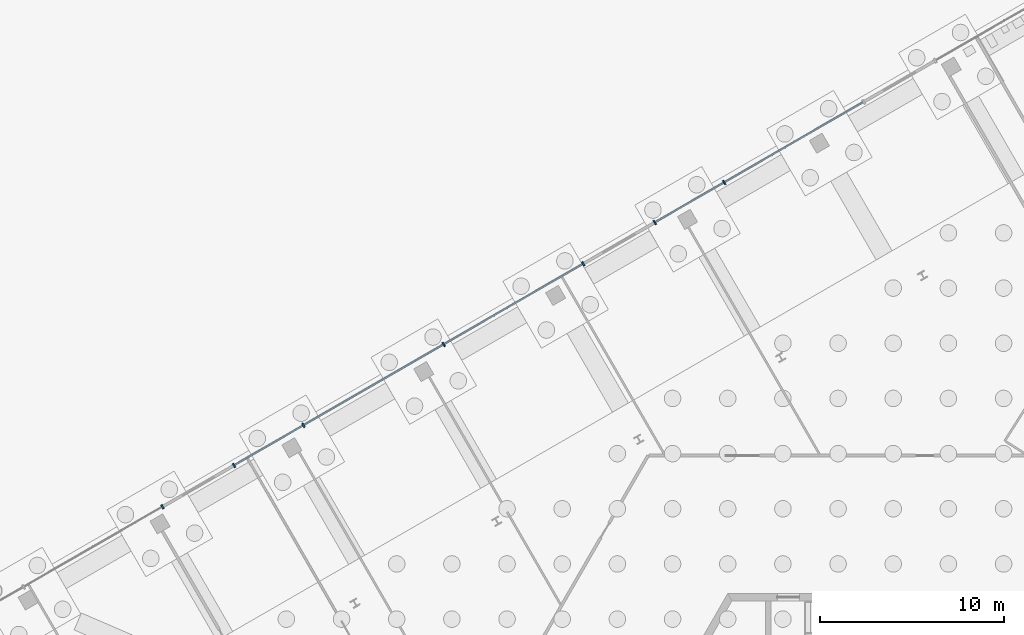
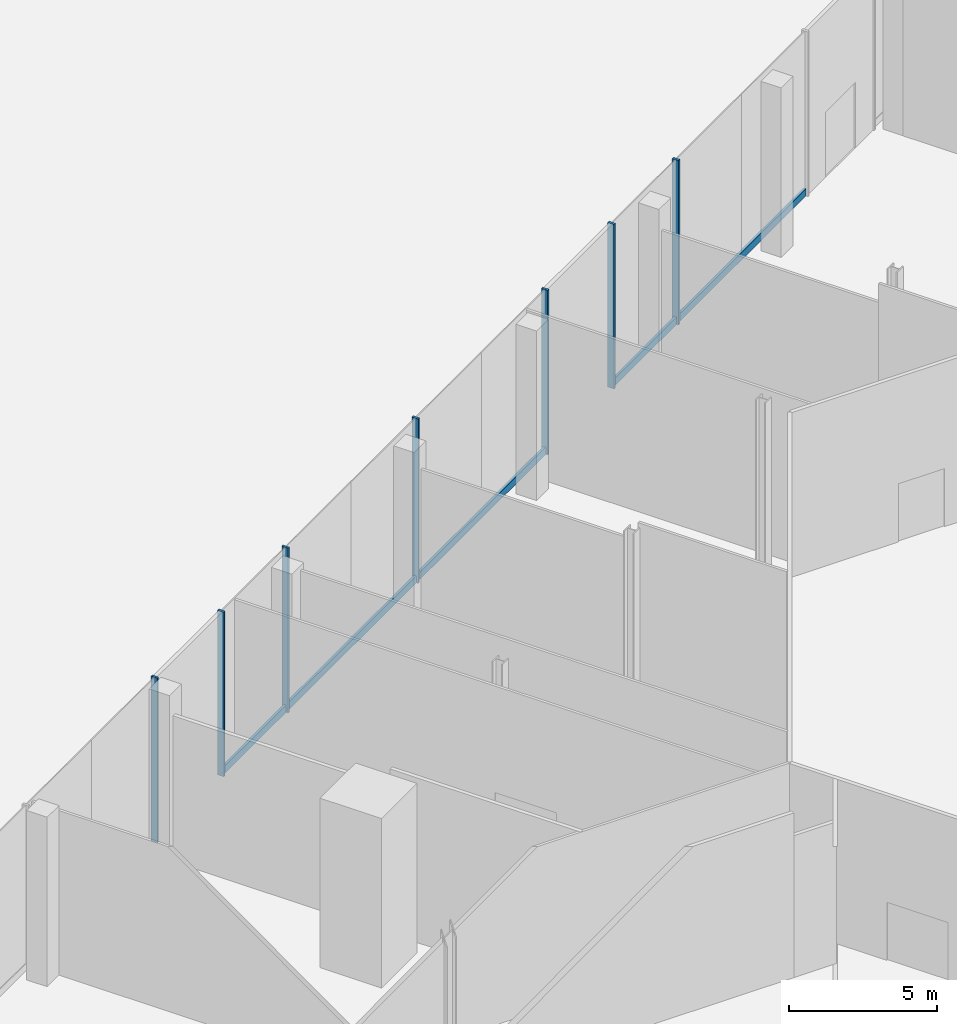
# One storey, part 12 of 27: 12 members, 3 elements without a shape of their own.
"""IFC4 building model written with IfcOpenShell, lengths in metres."""

from ifc_helpers import new_model, si_unit, direction, frame, origin, origin_2d, place, context, subcontext, project, spatial, rectangle, extrude, source, transform, mapped, material, material_profile, profile_set, type_object, element, aggregate, save


model = new_model("IFC4")

# Units and contexts
model_context = context("Model", 3, precision=1e-05, world=origin(), true_north=direction((0.0, 1.0)))
body_context = subcontext(model_context, "Body", "Model", "MODEL_VIEW")
ifc_project = project(units=[si_unit("LENGTHUNIT", "METRE"), si_unit("AREAUNIT", "SQUARE_METRE"), si_unit("VOLUMEUNIT", "CUBIC_METRE"), si_unit("PLANEANGLEUNIT", "RADIAN"), si_unit("MASSUNIT", "GRAM", prefix="KILO")], contexts=[model_context])

# Site, building, storey
site_placement = place(None, origin())
site = spatial("IfcSite", under=ifc_project, at=site_placement, CompositionType="ELEMENT")
building_placement = place(site_placement, origin())
building = spatial("IfcBuilding", under=site, at=building_placement, Name="Triune Harvest Tower", CompositionType="ELEMENT")
storey_placement = place(building_placement, origin())
storey = spatial("IfcBuildingStorey", under=building, at=storey_placement, Name="L00", CompositionType="ELEMENT", Elevation=0.0)

# Curtain wall, member
ifc_material_1 = material(Name="Aluminium bronze anodised", Category="aluminium")
curtain_wall_type = type_object("IfcCurtainWallType", Name="CW-2 Podium shopfront wall", PredefinedType="NOTDEFINED", material=ifc_material_1)
curtain_wall_1_placement = place(storey_placement, origin())
curtain_wall_1 = element("IfcCurtainWall", 1, at=curtain_wall_1_placement, inside=storey, type_object=curtain_wall_type, Name="CW-2 PD-F3 L00 run 3")
ifc_material_2 = material(Name="Aluminium bronze anodised", Category="aluminium")
ifc_material_profile_1 = material_profile(ifc_material_2, rectangle(XDim=0.10009765625, YDim=0.300048828125, at=origin_2d()), Name="TR-2 transom 100 x 300")
ifc_profile_set_1 = profile_set([ifc_material_profile_1], Name="Aluminium bronze anodised")
member_type_1 = type_object("IfcMemberType", Name="TR-2 transom 100 x 300", PredefinedType="USERDEFINED", material=ifc_profile_set_1)
member_1_placement = place(storey_placement, frame((-29.111572265625, 19.5126953125, 0.14990234375), z_axis=(-0.866023629481, -0.500003073171, 0.0), x_axis=(0.500003073171, -0.866023629481, 0.0)))
member_1 = element("IfcMember", 2, at=member_1_placement, type_object=member_type_1, Name="CW-2 transom PD-F3 3.3", ObjectType="TRANSOM", PredefinedType="USERDEFINED", context=body_context, shape_type="SweptSolid", body=[
    extrude(rectangle(XDim=0.10009765625, YDim=0.300048828125, at=origin_2d()), origin(), (0.0, 0.0, 1.0), 4.267578125),
])

# Curtain wall, members
curtain_wall_2_placement = place(storey_placement, origin())
curtain_wall_2 = element("IfcCurtainWall", 3, at=curtain_wall_2_placement, inside=storey, type_object=curtain_wall_type, Name="CW-2 PD-F3 L00 run 2")
ifc_material_3 = material(Name="Aluminium bronze anodised", Category="aluminium")
ifc_material_profile_2 = material_profile(ifc_material_3, rectangle(XDim=0.25, YDim=0.090087890625, at=origin_2d()), Name="MU-2 mullion 90 x 250")
ifc_profile_set_2 = profile_set([ifc_material_profile_2], Name="Aluminium bronze anodised")
member_type_2 = type_object("IfcMemberType", Name="MU-2 mullion 90 x 250", PredefinedType="MULLION", material=ifc_profile_set_2)
shared_shape_1 = source(origin(), body_context, "Body", "SweptSolid", [
    extrude(rectangle(XDim=0.25, YDim=0.090087890625, at=origin_2d()), origin(), (0.0, 0.0, 1.0), 6.800048828125),
])
member_2_placement = place(storey_placement, frame((-6.19482421875, 32.74365234375, 0.0), z_axis=(0.0, 0.0, 1.0), x_axis=(0.500000221117, -0.866025276122, 0.0)))
member_2 = element("IfcMember", 4, at=member_2_placement, type_object=member_type_2, Name="CW-2 mullion PD-F3 2.3", PredefinedType="MULLION", context=body_context, shape_type="MappedRepresentation", body=[
    mapped(shared_shape_1, transform((0.0, 0.0, 0.0), scale=1.0)),
])
member_3_placement = place(storey_placement, frame((-9.96875, 30.564697265625, 0.0), z_axis=(0.0, 0.0, 1.0), x_axis=(0.500000221117, -0.866025276122, 0.0)))
member_3 = element("IfcMember", 5, at=member_3_placement, type_object=member_type_2, Name="CW-2 mullion PD-F3 2.4", PredefinedType="MULLION", context=body_context, shape_type="MappedRepresentation", body=[
    mapped(shared_shape_1, transform((0.0, 0.0, 0.0), scale=1.0)),
])

# Member
member_4_placement = place(storey_placement, frame((-13.859619140625, 28.318359375, 0.0), z_axis=(0.0, 0.0, 1.0), x_axis=(0.500000221117, -0.866025276122, 0.0)))
member_4 = element("IfcMember", 6, at=member_4_placement, type_object=member_type_2, Name="CW-2 mullion PD-F3 3.1", PredefinedType="MULLION", context=body_context, shape_type="MappedRepresentation", body=[
    mapped(shared_shape_1, transform((0.0, 0.0, 0.0), scale=1.0)),
])

member_5_placement = place(storey_placement, frame((-21.446533203125, 23.93798828125, 0.0), z_axis=(0.0, 0.0, 1.0), x_axis=(0.500000221117, -0.866025276122, 0.0)))
member_5 = element("IfcMember", 7, at=member_5_placement, type_object=member_type_2, Name="CW-2 mullion PD-F3 3.3", PredefinedType="MULLION", context=body_context, shape_type="MappedRepresentation", body=[
    mapped(shared_shape_1, transform((0.0, 0.0, 0.0), scale=1.0)),
])

member_6_placement = place(storey_placement, frame((-29.072509765625, 19.53515625, 0.0), z_axis=(0.0, 0.0, 1.0), x_axis=(0.500000221117, -0.866025276122, 0.0)))
member_6 = element("IfcMember", 8, at=member_6_placement, type_object=member_type_2, Name="CW-2 mullion PD-F3 3.5", PredefinedType="MULLION", context=body_context, shape_type="MappedRepresentation", body=[
    mapped(shared_shape_1, transform((0.0, 0.0, 0.0), scale=1.0)),
])

member_7_placement = place(storey_placement, frame((-32.846435546875, 17.3564453125, 0.0), z_axis=(0.0, 0.0, 1.0), x_axis=(0.500000221117, -0.866025276122, 0.0)))
member_7 = element("IfcMember", 9, at=member_7_placement, type_object=member_type_2, Name="CW-2 mullion PD-F3 3.6", PredefinedType="MULLION", context=body_context, shape_type="MappedRepresentation", body=[
    mapped(shared_shape_1, transform((0.0, 0.0, 0.0), scale=1.0)),
])

# Curtain wall, member
curtain_wall_3_placement = place(storey_placement, origin())
curtain_wall_3 = element("IfcCurtainWall", 10, at=curtain_wall_3_placement, inside=storey, type_object=curtain_wall_type, Name="CW-2 PD-F3 L00 run 4")
member_8_placement = place(storey_placement, frame((-36.7373046875, 15.10986328125, 0.0), z_axis=(0.0, 0.0, 1.0), x_axis=(0.500000221117, -0.866025276122, 0.0)))
member_8 = element("IfcMember", 11, at=member_8_placement, type_object=member_type_2, Name="CW-2 mullion PD-F3 4.1", PredefinedType="MULLION", context=body_context, shape_type="MappedRepresentation", body=[
    mapped(shared_shape_1, transform((0.0, 0.0, 0.0), scale=1.0)),
])
aggregate(curtain_wall_3, [member_8])

# Member
shared_shape_2 = source(origin(), body_context, "Body", "SweptSolid", [
    extrude(rectangle(XDim=0.10009765625, YDim=0.300048828125, at=origin_2d()), origin(), (0.0, 0.0, 1.0), 8.670654296875),
])
member_9_placement = place(storey_placement, frame((1.353271484375, 37.1015625, 0.14990234375), z_axis=(-0.866020066318, -0.500009244649, 0.0), x_axis=(0.500009244649, -0.866020066318, 0.0)))
member_9 = element("IfcMember", 12, at=member_9_placement, type_object=member_type_1, Name="CW-2 transom PD-F3 2.1", ObjectType="TRANSOM", PredefinedType="USERDEFINED", context=body_context, shape_type="MappedRepresentation", body=[
    mapped(shared_shape_2, transform((0.0, 0.0, 0.0), scale=1.0)),
])

member_10_placement = place(storey_placement, frame((-13.898681640625, 28.2958984375, 0.14990234375), z_axis=(-0.866032258654, -0.49998812683, 0.0), x_axis=(0.49998812683, -0.866032258654, 0.0)))
member_10 = element("IfcMember", 13, at=member_10_placement, type_object=member_type_1, Name="CW-2 transom PD-F3 3.1", ObjectType="TRANSOM", PredefinedType="USERDEFINED", context=body_context, shape_type="MappedRepresentation", body=[
    mapped(shared_shape_2, transform((0.0, 0.0, 0.0), scale=1.0)),
])

shared_shape_3 = source(origin(), body_context, "Body", "SweptSolid", [
    extrude(rectangle(XDim=0.10009765625, YDim=0.300048828125, at=origin_2d()), origin(), (0.0, 0.0, 1.0), 4.267822265625),
])
member_11_placement = place(storey_placement, frame((-6.233642578125, 32.72119140625, 0.14990234375), z_axis=(-0.866037930741, -0.499978302046, 0.0), x_axis=(0.499978302046, -0.866037930741, 0.0)))
member_11 = element("IfcMember", 14, at=member_11_placement, type_object=member_type_1, Name="CW-2 transom PD-F3 2.2", ObjectType="TRANSOM", PredefinedType="USERDEFINED", context=body_context, shape_type="MappedRepresentation", body=[
    mapped(shared_shape_3, transform((0.0, 0.0, 0.0), scale=1.0)),
])

aggregate(curtain_wall_2, [member_2, member_3, member_9, member_11])

shared_shape_4 = source(origin(), body_context, "Body", "SweptSolid", [
    extrude(rectangle(XDim=0.10009765625, YDim=0.300048828125, at=origin_2d()), origin(), (0.0, 0.0, 1.0), 8.715576171875),
])
member_12_placement = place(storey_placement, frame((-21.485595703125, 23.91552734375, 0.14990234375), z_axis=(-0.866029781631, -0.49999241727, 0.0), x_axis=(0.49999241727, -0.866029781631, 0.0)))
member_12 = element("IfcMember", 15, at=member_12_placement, type_object=member_type_1, Name="CW-2 transom PD-F3 3.2", ObjectType="TRANSOM", PredefinedType="USERDEFINED", context=body_context, shape_type="MappedRepresentation", body=[
    mapped(shared_shape_4, transform((0.0, 0.0, 0.0), scale=1.0)),
])

aggregate(curtain_wall_1, [member_4, member_5, member_6, member_7, member_10, member_12, member_1])

save(model, "model.ifc")
